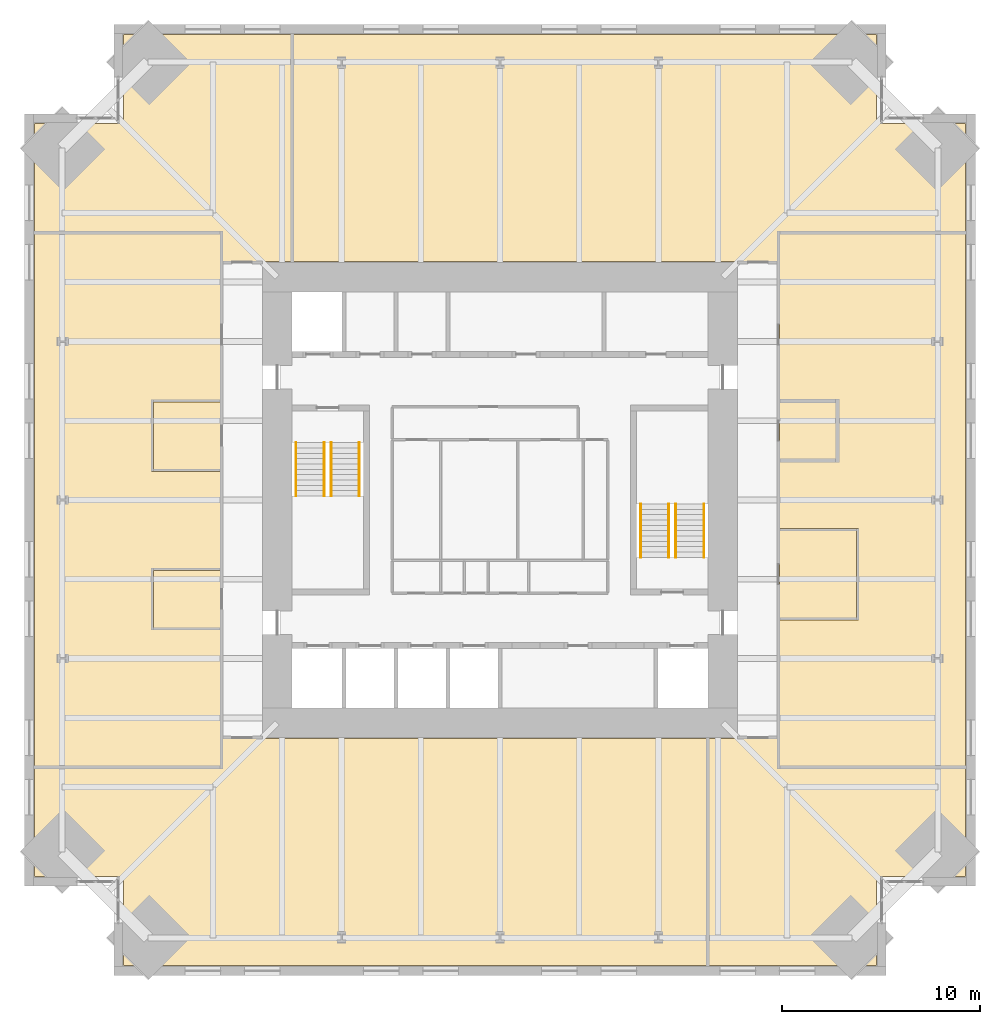
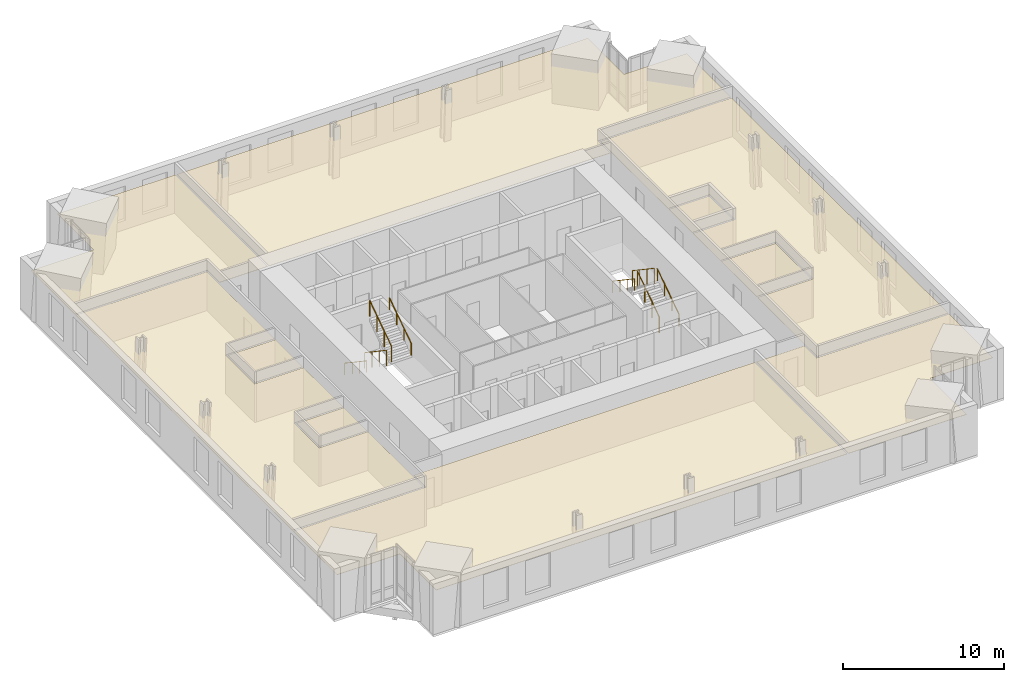
# One storey, part 15 of 15: 10 coverings, 8 railings.
"""IFC4 building model written with IfcOpenShell, lengths in metres."""

from ifc_helpers import new_model, si_unit, direction, frame, origin, origin_2d, place, context, subcontext, project, spatial, polyline, circle, outline, extrude, material, layer, layer_set, type_object, element, save


model = new_model("IFC4")

# Units and contexts
model_context = context("Model", 3, precision=1e-05, world=origin(), true_north=direction((0.0, 1.0)))
body_context = subcontext(model_context, "Body", "Model", "MODEL_VIEW")
ifc_project = project(units=[si_unit("LENGTHUNIT", "METRE"), si_unit("AREAUNIT", "SQUARE_METRE"), si_unit("VOLUMEUNIT", "CUBIC_METRE"), si_unit("PLANEANGLEUNIT", "RADIAN"), si_unit("MASSUNIT", "GRAM", prefix="KILO")], contexts=[model_context])

# Site, building, storey
site_placement = place(None, origin())
site = spatial("IfcSite", under=ifc_project, at=site_placement, CompositionType="ELEMENT")
building_placement = place(site_placement, origin())
building = spatial("IfcBuilding", under=site, at=building_placement, Name="Peilmerk Tower", CompositionType="ELEMENT")
storey_placement = place(building_placement, frame((0.0, 0.0, 217.800048828125)))
storey = spatial("IfcBuildingStorey", under=building, at=storey_placement, Name="L47", CompositionType="ELEMENT", Elevation=217.800048828125)

# Coverings
ifc_material_1 = material(Name="Mineral fibre ceiling tiles", Category="mineral")
ifc_layer = layer(ifc_material_1, 0.02490234375)
ifc_layer_set = layer_set([ifc_layer], Name="Mineral fibre ceiling tiles")
covering_type = type_object("IfcCoveringType", Name="CL1 25 suspended ceiling", PredefinedType="CEILING", material=ifc_layer_set)
covering_1_placement = place(storey_placement, frame((0.0, 0.0, 2.905029296875)))
element("IfcCovering", 1, at=covering_1_placement, inside=storey, type_object=covering_type, Name="Suspended ceiling Tenant suite", PredefinedType="CEILING", context=body_context, shape_type="SweptSolid", body=[
    extrude(outline(polyline([(-23.5, 19.0), (-23.5, 13.550048828125), (-14.0, 13.550048828125), (-14.0, 12.050048828125), (-10.550048828125, 12.050048828125), (-10.550048828125, 23.5), (-19.0, 23.5), (-19.0, 19.0), (-23.5, 19.0)])), origin(), (0.0, 0.0, 1.0), 0.02490234375),
])
covering_2_placement = place(storey_placement, frame((0.0, 0.0, 2.905029296875)))
element("IfcCovering", 2, at=covering_2_placement, inside=storey, type_object=covering_type, Name="Suspended ceiling Tenant suite", PredefinedType="CEILING", context=body_context, shape_type="SweptSolid", body=[
    extrude(outline(polyline([(19.0, 23.5), (-10.449951171875, 23.5), (-10.449951171875, 12.050048828125), (14.0, 12.050048828125), (14.0, 13.550048828125), (23.5, 13.550048828125), (23.5, 19.0), (19.0, 19.0), (19.0, 23.5)])), origin(), (0.0, 0.0, 1.0), 0.02490234375),
])
covering_3_placement = place(storey_placement, frame((0.0, 0.0, 2.905029296875)))
element("IfcCovering", 3, at=covering_3_placement, inside=storey, type_object=covering_type, Name="Suspended ceiling Tenant suite", PredefinedType="CEILING", context=body_context, shape_type="SweptSolid", body=[
    extrude(outline(polyline([(-19.0, -23.5), (10.449951171875, -23.5), (10.449951171875, -12.050048828125), (-14.0, -12.050048828125), (-14.0, -13.550048828125), (-23.5, -13.550048828125), (-23.5, -19.0), (-19.0, -19.0), (-19.0, -23.5)])), origin(), (0.0, 0.0, 1.0), 0.02490234375),
])
covering_4_placement = place(storey_placement, frame((0.0, 0.0, 2.905029296875)))
element("IfcCovering", 4, at=covering_4_placement, inside=storey, type_object=covering_type, Name="Suspended ceiling Open workspace", PredefinedType="CEILING", context=body_context, shape_type="SweptSolid", body=[
    extrude(outline(polyline([(10.550048828125, -23.5), (19.0, -23.5), (19.0, -19.0), (23.5, -19.0), (23.5, -13.550048828125), (14.0, -13.550048828125), (14.0, -12.050048828125), (10.550048828125, -12.050048828125), (10.550048828125, -23.5)])), origin(), (0.0, 0.0, 1.0), 0.02490234375),
])
covering_5_placement = place(storey_placement, frame((0.0, 0.0, 2.905029296875)))
element("IfcCovering", 5, at=covering_5_placement, inside=storey, type_object=covering_type, Name="Suspended ceiling Office", PredefinedType="CEILING", context=body_context, shape_type="SweptSolid", body=[
    extrude(outline(polyline([(14.10009765625, -13.449951171875), (23.5, -13.449951171875), (23.5, 13.449951171875), (14.10009765625, 13.449951171875), (14.10009765625, 5.050048828125), (17.10009765625, 5.050048828125), (17.10009765625, 1.949951171875), (14.10009765625, 1.949951171875), (14.10009765625, -1.449951171875), (18.10009765625, -1.449951171875), (18.10009765625, -6.050048828125), (14.10009765625, -6.050048828125), (14.10009765625, -13.449951171875)])), origin(), (0.0, 0.0, 1.0), 0.02490234375),
])
covering_6_placement = place(storey_placement, frame((0.0, 0.0, 2.905029296875)))
element("IfcCovering", 6, at=covering_6_placement, inside=storey, type_object=covering_type, Name="Suspended ceiling Meeting room", PredefinedType="CEILING", context=body_context, shape_type="SweptSolid", body=[
    extrude(outline(polyline([(18.0, -5.949951171875), (18.0, -1.550048828125), (14.10009765625, -1.550048828125), (14.10009765625, -5.949951171875), (18.0, -5.949951171875)])), origin(), (0.0, 0.0, 1.0), 0.02490234375),
])
covering_7_placement = place(storey_placement, frame((0.0, 0.0, 2.905029296875)))
element("IfcCovering", 7, at=covering_7_placement, inside=storey, type_object=covering_type, Name="Suspended ceiling Print room", PredefinedType="CEILING", context=body_context, shape_type="SweptSolid", body=[
    extrude(outline(polyline([(17.0, 2.050048828125), (17.0, 4.949951171875), (14.10009765625, 4.949951171875), (14.10009765625, 2.050048828125), (17.0, 2.050048828125)])), origin(), (0.0, 0.0, 1.0), 0.02490234375),
])
covering_8_placement = place(storey_placement, frame((0.0, 0.0, 2.905029296875)))
element("IfcCovering", 8, at=covering_8_placement, inside=storey, type_object=covering_type, Name="Suspended ceiling Office", PredefinedType="CEILING", context=body_context, shape_type="SweptSolid", body=[
    extrude(outline(polyline([(-14.10009765625, 13.449951171875), (-23.5, 13.449951171875), (-23.5, -13.449951171875), (-14.10009765625, -13.449951171875), (-14.10009765625, -6.550048828125), (-17.60009765625, -6.550048828125), (-17.60009765625, -3.449951171875), (-14.10009765625, -3.449951171875), (-14.10009765625, 1.449951171875), (-17.60009765625, 1.449951171875), (-17.60009765625, 5.050048828125), (-14.10009765625, 5.050048828125), (-14.10009765625, 13.449951171875)])), origin(), (0.0, 0.0, 1.0), 0.02490234375),
])
covering_9_placement = place(storey_placement, frame((0.0, 0.0, 2.905029296875)))
element("IfcCovering", 9, at=covering_9_placement, inside=storey, type_object=covering_type, Name="Suspended ceiling Pantry", PredefinedType="CEILING", context=body_context, shape_type="SweptSolid", body=[
    extrude(outline(polyline([(-14.10009765625, 1.550048828125), (-14.10009765625, 4.949951171875), (-17.5, 4.949951171875), (-17.5, 1.550048828125), (-14.10009765625, 1.550048828125)])), origin(), (0.0, 0.0, 1.0), 0.02490234375),
])
covering_10_placement = place(storey_placement, frame((0.0, 0.0, 2.905029296875)))
element("IfcCovering", 10, at=covering_10_placement, inside=storey, type_object=covering_type, Name="Suspended ceiling Focus room", PredefinedType="CEILING", context=body_context, shape_type="SweptSolid", body=[
    extrude(outline(polyline([(-14.10009765625, -6.449951171875), (-14.10009765625, -3.550048828125), (-17.5, -3.550048828125), (-17.5, -6.449951171875), (-14.10009765625, -6.449951171875)])), origin(), (0.0, 0.0, 1.0), 0.02490234375),
])

# Railings
ifc_material_2 = material(Name="Steel flat bar balustrade", Category="steel")
railing_type_1 = type_object("IfcRailingType", Name="GR1 1200 stair guard", PredefinedType="GUARDRAIL", material=ifc_material_2)
railing_1_placement = place(storey_placement, frame((-8.8798828125, 2.89990234375, 0.181884765625)))
element("IfcRailing", 11, at=railing_1_placement, inside=storey, type_object=railing_type_1, Name="Guard stair 1 L47", PredefinedType="GUARDRAIL", context=body_context, shape_type="SweptSolid", body=[
    extrude(circle(Radius=0.02392578125, at=origin_2d()), frame((0.0, 0.0, 1.17578125), z_axis=(0.0, -0.829468130872, 0.55855404382), x_axis=(1.0, 0.0, 0.0)), (0.0, 0.0, 1.0), 3.255126953125),
    extrude(circle(Radius=0.02099609375, at=origin_2d()), origin(), (0.0, 0.0, 1.0), 1.15185546875),
    extrude(circle(Radius=0.02099609375, at=origin_2d()), frame((0.0, -0.89990234375, 0.60595703125)), (0.0, 0.0, 1.0), 1.15185546875),
    extrude(circle(Radius=0.02099609375, at=origin_2d()), frame((0.0, -1.800048828125, 1.212158203125)), (0.0, 0.0, 1.0), 1.15185546875),
    extrude(circle(Radius=0.02099609375, at=origin_2d()), frame((0.0, -2.699951171875, 1.818115234375)), (0.0, 0.0, 1.0), 1.15185546875),
])
for number, where, name in (
    (12, (-8.52001953125, 0.199951171875, 2.181884765625), "Guard stair 1 L47"),
    (13, (8.8798828125, -2.89990234375, 0.181884765625), "Guard stair 2 L47"),
):
    element("IfcRailing", number, at=place(storey_placement, frame(where)), inside=storey, type_object=railing_type_1, Name=name, PredefinedType="GUARDRAIL", context=body_context, shape_type="SweptSolid", body=[
        extrude(circle(Radius=0.02392578125, at=origin_2d()), frame((0.0, 0.0, 1.17578125), z_axis=(0.0, 0.829468130872, 0.55855404382), x_axis=(-1.0, 0.0, 0.0)), (0.0, 0.0, 1.0), 3.255126953125),
        extrude(circle(Radius=0.02099609375, at=origin_2d()), origin(), (0.0, 0.0, 1.0), 1.15185546875),
        extrude(circle(Radius=0.02099609375, at=origin_2d()), frame((0.0, 0.89990234375, 0.60595703125)), (0.0, 0.0, 1.0), 1.15185546875),
        extrude(circle(Radius=0.02099609375, at=origin_2d()), frame((0.0, 1.800048828125, 1.212158203125)), (0.0, 0.0, 1.0), 1.15185546875),
        extrude(circle(Radius=0.02099609375, at=origin_2d()), frame((0.0, 2.699951171875, 1.818115234375)), (0.0, 0.0, 1.0), 1.15185546875),
    ])
railing_2_placement = place(storey_placement, frame((8.52001953125, -0.199951171875, 2.181884765625)))
element("IfcRailing", 14, at=railing_2_placement, inside=storey, type_object=railing_type_1, Name="Guard stair 2 L47", PredefinedType="GUARDRAIL", context=body_context, shape_type="SweptSolid", body=[
    extrude(circle(Radius=0.02392578125, at=origin_2d()), frame((0.0, 0.0, 1.17578125), z_axis=(0.0, -0.829468130872, 0.55855404382), x_axis=(1.0, 0.0, 0.0)), (0.0, 0.0, 1.0), 3.255126953125),
    extrude(circle(Radius=0.02099609375, at=origin_2d()), origin(), (0.0, 0.0, 1.0), 1.15185546875),
    extrude(circle(Radius=0.02099609375, at=origin_2d()), frame((0.0, -0.89990234375, 0.60595703125)), (0.0, 0.0, 1.0), 1.15185546875),
    extrude(circle(Radius=0.02099609375, at=origin_2d()), frame((0.0, -1.800048828125, 1.212158203125)), (0.0, 0.0, 1.0), 1.15185546875),
    extrude(circle(Radius=0.02099609375, at=origin_2d()), frame((0.0, -2.699951171875, 1.818115234375)), (0.0, 0.0, 1.0), 1.15185546875),
])
ifc_material_3 = material(Name="Stainless steel tube", Category="steel")
railing_type_2 = type_object("IfcRailingType", Name="HR1 900 stair handrail", PredefinedType="HANDRAIL", material=ifc_material_3)
railing_3_placement = place(storey_placement, frame((-10.300048828125, 2.89990234375, 0.181884765625)))
element("IfcRailing", 15, at=railing_3_placement, inside=storey, type_object=railing_type_2, Name="Handrail stair 1 L47", PredefinedType="HANDRAIL", context=body_context, shape_type="SweptSolid", body=[
    extrude(circle(Radius=0.02392578125, at=origin_2d()), frame((0.0, 0.0, 0.8759765625), z_axis=(0.0, -0.829468130872, 0.55855404382), x_axis=(1.0, 0.0, 0.0)), (0.0, 0.0, 1.0), 3.255126953125),
    extrude(circle(Radius=0.02099609375, at=origin_2d()), origin(), (0.0, 0.0, 1.0), 0.851806640625),
    extrude(circle(Radius=0.02099609375, at=origin_2d()), frame((0.0, -0.89990234375, 0.60595703125)), (0.0, 0.0, 1.0), 0.851806640625),
    extrude(circle(Radius=0.02099609375, at=origin_2d()), frame((0.0, -1.800048828125, 1.212158203125)), (0.0, 0.0, 1.0), 0.851806640625),
    extrude(circle(Radius=0.02099609375, at=origin_2d()), frame((0.0, -2.699951171875, 1.818115234375)), (0.0, 0.0, 1.0), 0.851806640625),
])
for number, where, name in (
    (16, (-7.10009765625, 0.199951171875, 2.181884765625), "Handrail stair 1 L47"),
    (17, (10.300048828125, -2.89990234375, 0.181884765625), "Handrail stair 2 L47"),
):
    element("IfcRailing", number, at=place(storey_placement, frame(where)), inside=storey, type_object=railing_type_2, Name=name, PredefinedType="HANDRAIL", context=body_context, shape_type="SweptSolid", body=[
        extrude(circle(Radius=0.02392578125, at=origin_2d()), frame((0.0, 0.0, 0.8759765625), z_axis=(0.0, 0.829468130872, 0.55855404382), x_axis=(-1.0, 0.0, 0.0)), (0.0, 0.0, 1.0), 3.255126953125),
        extrude(circle(Radius=0.02099609375, at=origin_2d()), origin(), (0.0, 0.0, 1.0), 0.851806640625),
        extrude(circle(Radius=0.02099609375, at=origin_2d()), frame((0.0, 0.89990234375, 0.60595703125)), (0.0, 0.0, 1.0), 0.851806640625),
        extrude(circle(Radius=0.02099609375, at=origin_2d()), frame((0.0, 1.800048828125, 1.212158203125)), (0.0, 0.0, 1.0), 0.851806640625),
        extrude(circle(Radius=0.02099609375, at=origin_2d()), frame((0.0, 2.699951171875, 1.818115234375)), (0.0, 0.0, 1.0), 0.851806640625),
    ])
railing_4_placement = place(storey_placement, frame((7.10009765625, -0.199951171875, 2.181884765625)))
element("IfcRailing", 18, at=railing_4_placement, inside=storey, type_object=railing_type_2, Name="Handrail stair 2 L47", PredefinedType="HANDRAIL", context=body_context, shape_type="SweptSolid", body=[
    extrude(circle(Radius=0.02392578125, at=origin_2d()), frame((0.0, 0.0, 0.8759765625), z_axis=(0.0, -0.829468130872, 0.55855404382), x_axis=(1.0, 0.0, 0.0)), (0.0, 0.0, 1.0), 3.255126953125),
    extrude(circle(Radius=0.02099609375, at=origin_2d()), origin(), (0.0, 0.0, 1.0), 0.851806640625),
    extrude(circle(Radius=0.02099609375, at=origin_2d()), frame((0.0, -0.89990234375, 0.60595703125)), (0.0, 0.0, 1.0), 0.851806640625),
    extrude(circle(Radius=0.02099609375, at=origin_2d()), frame((0.0, -1.800048828125, 1.212158203125)), (0.0, 0.0, 1.0), 0.851806640625),
    extrude(circle(Radius=0.02099609375, at=origin_2d()), frame((0.0, -2.699951171875, 1.818115234375)), (0.0, 0.0, 1.0), 0.851806640625),
])

save(model, "model.ifc")
